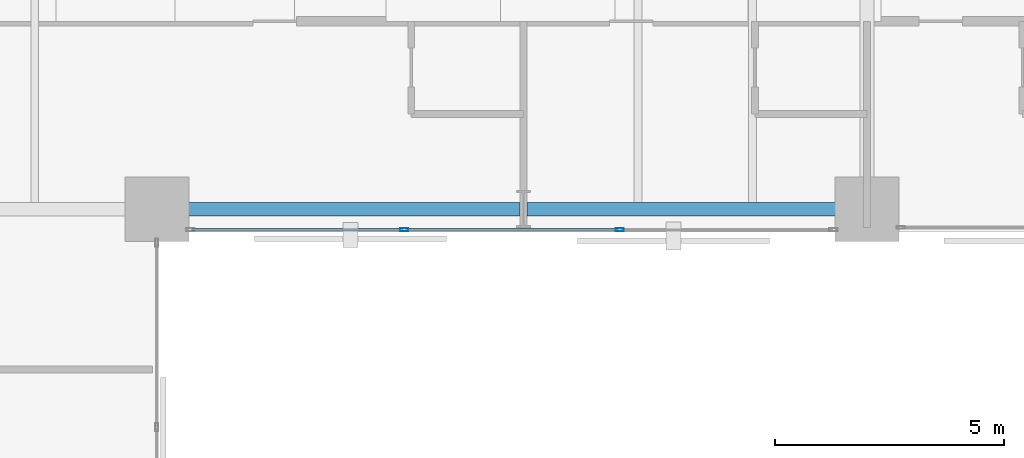
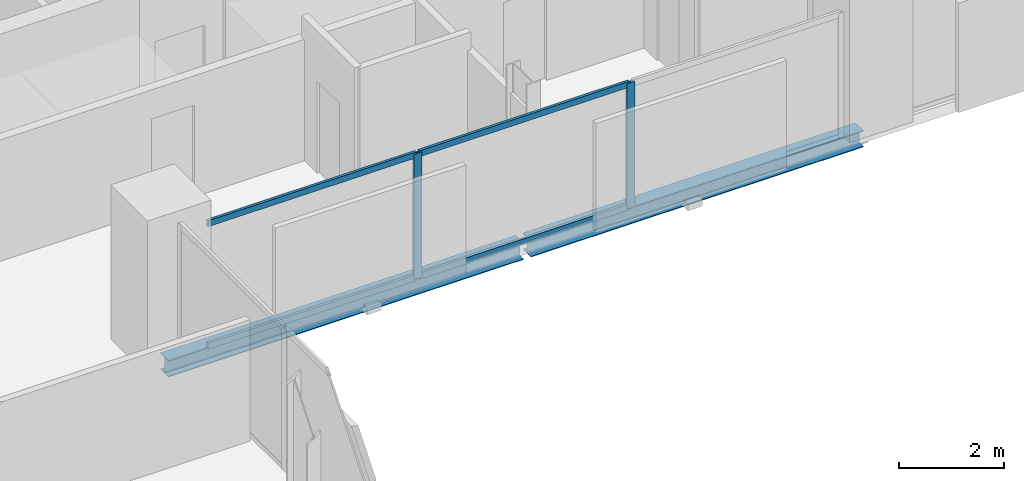
# One storey, part 14 of 32: 6 members, 2 beams, 1 element without a shape of its own.
"""IFC4 building model written with IfcOpenShell, lengths in metres."""

from ifc_helpers import new_model, si_unit, direction, frame, origin, origin_2d, place, context, subcontext, project, spatial, hollow_rectangle, i_section, extrude, material, layer, layer_set, material_profile, profile_set, type_object, element, aggregate, save


model = new_model("IFC4")

# Units and contexts
model_context = context("Model", 3, precision=1e-05, world=origin(), true_north=direction((0.0, 1.0)))
body_context = subcontext(model_context, "Body", "Model", "MODEL_VIEW")
ifc_project = project(units=[si_unit("LENGTHUNIT", "METRE"), si_unit("AREAUNIT", "SQUARE_METRE"), si_unit("VOLUMEUNIT", "CUBIC_METRE"), si_unit("PLANEANGLEUNIT", "RADIAN"), si_unit("MASSUNIT", "GRAM", prefix="KILO")], contexts=[model_context])

# Site, building, storey
site_placement = place(None, origin())
site = spatial("IfcSite", under=ifc_project, at=site_placement, CompositionType="ELEMENT")
building_placement = place(site_placement, origin())
building = spatial("IfcBuilding", under=site, at=building_placement, Name="Catumbela Crestline Tower", CompositionType="ELEMENT")
storey_placement = place(building_placement, frame((0.0, 0.0, 65.4)))
storey = spatial("IfcBuildingStorey", under=building, at=storey_placement, Name="L16", CompositionType="ELEMENT", Elevation=65.4)

# Curtain wall, members
ifc_material_1 = material(Name="Aluminium alloy AW-6060-T66", Category="aluminium")
ifc_layer = layer(ifc_material_1, 0.18, Name="Aluminium alloy AW-6060-T66")
ifc_layer_set = layer_set([ifc_layer], Name="Aluminium alloy AW-6060-T66")
curtain_wall_type = type_object("IfcCurtainWallType", Name="CWU-Z1", PredefinedType="USERDEFINED", material=ifc_layer_set)
curtain_wall_placement = place(storey_placement, origin())
curtain_wall = element("IfcCurtainWall", 1, at=curtain_wall_placement, inside=storey, type_object=curtain_wall_type, Name="L16 Unitised Curtain Wall CW-L16-E3S1", ObjectType="UNITISED", PredefinedType="USERDEFINED")
ifc_material_profile_1 = material_profile(ifc_material_1, hollow_rectangle(XDim=0.065, YDim=0.18, WallThickness=0.004, at=origin_2d()), Name="ALU 180x65x4")
ifc_profile_set_1 = profile_set([ifc_material_profile_1], Name="Aluminium alloy AW-6060-T66")
member_type_1 = type_object("IfcMemberType", Name="MUL-180X65", PredefinedType="MULLION", material=ifc_profile_set_1)
member_1_placement = place(storey_placement, frame((29.4, 24.05, 0.0), z_axis=(0.0, 0.0, 1.0), x_axis=(0.0, 1.0, 0.0)))
member_1 = element("IfcMember", 2, at=member_1_placement, type_object=member_type_1, Name="CWU-Z1 mullion 2", PredefinedType="MULLION", context=body_context, shape_type="SweptSolid", body=[
    extrude(hollow_rectangle(XDim=0.065, YDim=0.18, WallThickness=0.004, at=origin_2d()), origin(), (0.0, 0.0, 1.0), 2.92),
])
member_2_placement = place(storey_placement, frame((34.1, 24.05, 0.0), z_axis=(0.0, 0.0, 1.0), x_axis=(0.0, 1.0, 0.0)))
member_2 = element("IfcMember", 3, at=member_2_placement, type_object=member_type_1, Name="CWU-Z1 mullion 3", PredefinedType="MULLION", context=body_context, shape_type="SweptSolid", body=[
    extrude(hollow_rectangle(XDim=0.065, YDim=0.18, WallThickness=0.004, at=origin_2d()), origin(), (0.0, 0.0, 1.0), 2.92),
])

# Beams
ifc_material_2 = material(Name="Structural steel S355J2", Category="steel")
ifc_material_profile_2 = material_profile(ifc_material_2, i_section(OverallWidth=0.3, OverallDepth=0.39, WebThickness=0.011, FlangeThickness=0.019, FilletRadius=0.027, at=origin_2d()), Name="HEA 400")
ifc_profile_set_2 = profile_set([ifc_material_profile_2], Name="Structural steel S355J2")
beam_type = type_object("IfcBeamType", Name="BS-HEA400", PredefinedType="SPANDREL", material=ifc_profile_set_2)
beam_1_placement = place(storey_placement, frame((24.08, 24.5, -0.455), z_axis=(1.0, 0.0, 0.0), x_axis=(0.0, 1.0, 0.0)))
element("IfcBeam", 4, at=beam_1_placement, inside=storey, type_object=beam_type, Name="L16 Spandrel SP-L16-S05", PredefinedType="SPANDREL", context=body_context, shape_type="SweptSolid", body=[
    extrude(i_section(OverallWidth=0.3, OverallDepth=0.39, WebThickness=0.011, FlangeThickness=0.019, FilletRadius=0.027, at=origin_2d()), origin(), (0.0, 0.0, 1.0), 7.84),
])
beam_2_placement = place(storey_placement, frame((32.08, 24.5, -0.455), z_axis=(1.0, 0.0, 0.0), x_axis=(0.0, 1.0, 0.0)))
element("IfcBeam", 5, at=beam_2_placement, inside=storey, type_object=beam_type, Name="L16 Spandrel SP-L16-S06", PredefinedType="SPANDREL", context=body_context, shape_type="SweptSolid", body=[
    extrude(i_section(OverallWidth=0.3, OverallDepth=0.39, WebThickness=0.011, FlangeThickness=0.019, FilletRadius=0.027, at=origin_2d()), origin(), (0.0, 0.0, 1.0), 7.34),
])

# Member
ifc_material_profile_3 = material_profile(ifc_material_1, hollow_rectangle(XDim=0.06, YDim=0.14, WallThickness=0.004, at=origin_2d()), Name="ALU 140x60x4")
ifc_profile_set_3 = profile_set([ifc_material_profile_3], Name="Aluminium alloy AW-6060-T66")
member_type_2 = type_object("IfcMemberType", Name="TRN-140X60", PredefinedType="USERDEFINED", material=ifc_profile_set_3)
member_3_placement = place(storey_placement, frame((24.765, 24.05, 0.03), z_axis=(1.0, 0.0, 0.0), x_axis=(0.0, 1.0, 0.0)))
member_3 = element("IfcMember", 6, at=member_3_placement, type_object=member_type_2, Name="CWU-Z1 transom 1.1", ObjectType="TRANSOM", PredefinedType="USERDEFINED", context=body_context, shape_type="SweptSolid", body=[
    extrude(hollow_rectangle(XDim=0.06, YDim=0.14, WallThickness=0.004, at=origin_2d()), origin(), (0.0, 0.0, 1.0), 4.6025),
])

member_4_placement = place(storey_placement, frame((24.765, 24.05, 2.89), z_axis=(1.0, 0.0, 0.0), x_axis=(0.0, 1.0, 0.0)))
member_4 = element("IfcMember", 7, at=member_4_placement, type_object=member_type_2, Name="CWU-Z1 transom 1.2", ObjectType="TRANSOM", PredefinedType="USERDEFINED", context=body_context, shape_type="SweptSolid", body=[
    extrude(hollow_rectangle(XDim=0.06, YDim=0.14, WallThickness=0.004, at=origin_2d()), origin(), (0.0, 0.0, 1.0), 4.6025),
])

member_5_placement = place(storey_placement, frame((29.4325, 24.05, 0.03), z_axis=(1.0, 0.0, 0.0), x_axis=(0.0, 1.0, 0.0)))
member_5 = element("IfcMember", 8, at=member_5_placement, type_object=member_type_2, Name="CWU-Z1 transom 2.1", ObjectType="TRANSOM", PredefinedType="USERDEFINED", context=body_context, shape_type="SweptSolid", body=[
    extrude(hollow_rectangle(XDim=0.06, YDim=0.14, WallThickness=0.004, at=origin_2d()), origin(), (0.0, 0.0, 1.0), 4.635),
])

member_6_placement = place(storey_placement, frame((29.4325, 24.05, 2.89), z_axis=(1.0, 0.0, 0.0), x_axis=(0.0, 1.0, 0.0)))
member_6 = element("IfcMember", 9, at=member_6_placement, type_object=member_type_2, Name="CWU-Z1 transom 2.2", ObjectType="TRANSOM", PredefinedType="USERDEFINED", context=body_context, shape_type="SweptSolid", body=[
    extrude(hollow_rectangle(XDim=0.06, YDim=0.14, WallThickness=0.004, at=origin_2d()), origin(), (0.0, 0.0, 1.0), 4.635),
])

aggregate(curtain_wall, [member_1, member_2, member_3, member_4, member_5, member_6])

save(model, "model.ifc")
